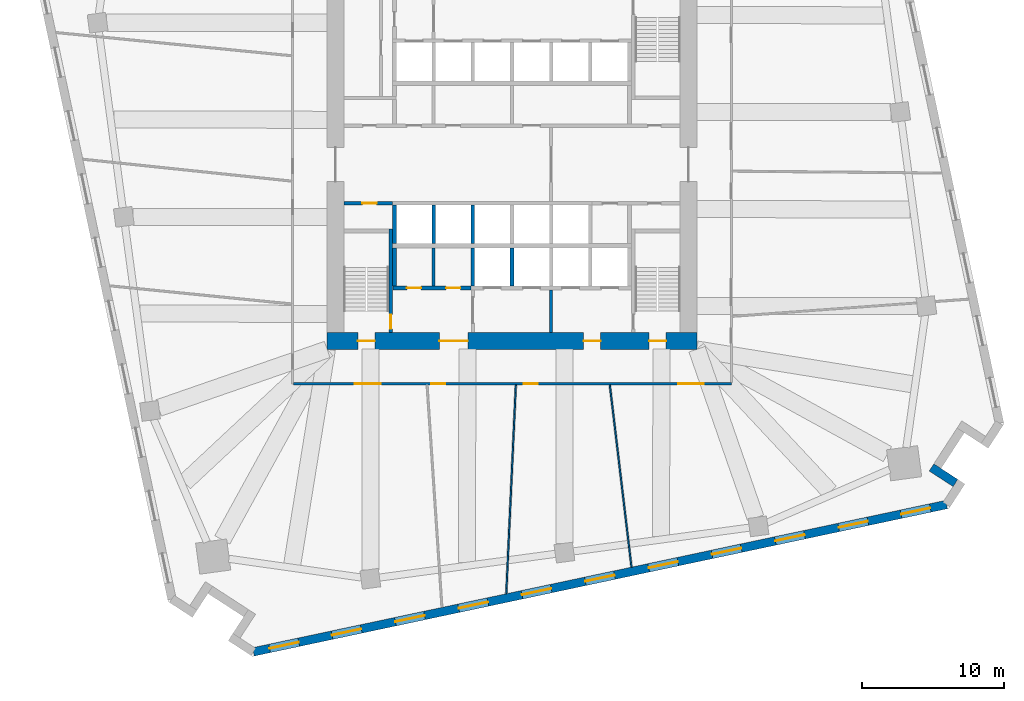
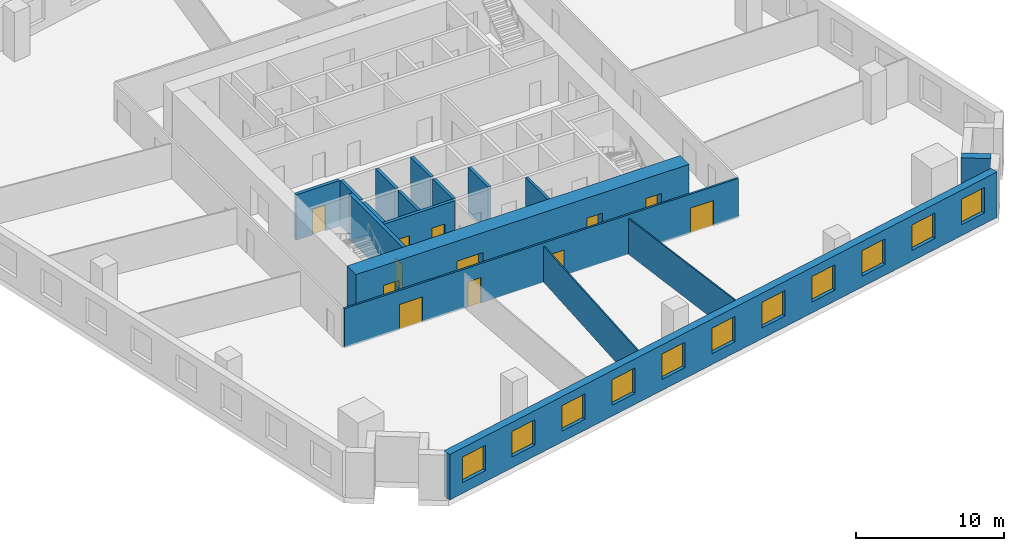
# One storey, part 4 of 10: 17 walls, 12 doors, 11 windows, 23 openings.
"""IFC4 building model written with IfcOpenShell, lengths in metres."""

import ifcopenshell
import ifcopenshell.guid

model = None  # the IFC model being written
_history = None  # IfcOwnerHistory: only IFC2X3 demands one
_inside = {}  # id of a spatial element -> (the spatial element, [elements in it])
_under = {}  # id of a project, library or spatial element -> (it, [spatial elements below it])
_declared = {}  # id of a project -> (the project, [libraries it declares])
_typed = {}  # id of a type object -> (the type object, [elements of that type])
_made_of = {}  # id of a material, layer set ... -> (it, [elements and type objects made of it])


def new_model(schema):
    """Start an empty IFC model of exactly this schema.

    Asked for "IFC4X3", IfcOpenShell would pick the latest addendum, in which some entities
    have other attributes; the version numbers below select the first issue.
    IFC2X3 requires an IfcOwnerHistory on every rooted entity: one is made here for all.
    """
    global model, _history
    if schema == "IFC4X3":
        model = ifcopenshell.file(schema_version=(4, 3, 0, 0))
    else:
        model = ifcopenshell.file(schema=schema)
    _inside.clear()
    _under.clear()
    _declared.clear()
    _typed.clear()
    _made_of.clear()
    _history = None
    if model.schema == "IFC2X3":
        org = make("IfcOrganization", Name="unknown")
        user = make(
            "IfcPersonAndOrganization",
            ThePerson=make("IfcPerson", FamilyName="unknown"),
            TheOrganization=org,
        )
        app = make(
            "IfcApplication",
            ApplicationDeveloper=org,
            Version="unknown",
            ApplicationFullName="unknown",
            ApplicationIdentifier="unknown",
        )
        _history = make(
            "IfcOwnerHistory",
            OwningUser=user,
            OwningApplication=app,
            ChangeAction="ADDED",
            CreationDate=0,
        )
    return model


def make(cls, **values):
    """One entity of the class cls with the attributes given. An attribute that is None is left unset."""
    return model.create_entity(
        cls, **{name: value for name, value in values.items() if value is not None}
    )


def rooted(cls, **values):
    """An entity with a GlobalId (a new one), such as an element, a storey or a relation."""
    return make(cls, GlobalId=ifcopenshell.guid.new(), OwnerHistory=_history, **values)


def si_unit(unit_type, name, prefix=None):
    """IfcSIUnit, for example si_unit("LENGTHUNIT", "METRE", prefix="MILLI")."""
    return make("IfcSIUnit", UnitType=unit_type, Prefix=prefix, Name=name)


def assignment(units):
    """IfcUnitAssignment: the units of a project."""
    return None if units is None else make("IfcUnitAssignment", Units=units)


def point(xyz):
    """IfcCartesianPoint."""
    return None if xyz is None else make("IfcCartesianPoint", Coordinates=xyz)


def direction(xyz):
    """IfcDirection."""
    return None if xyz is None else make("IfcDirection", DirectionRatios=xyz)


def frame(location, z_axis=None, x_axis=None):
    """IfcAxis2Placement3D, a coordinate frame: its origin and axes. An axis left out is left unset."""
    return make(
        "IfcAxis2Placement3D",
        Location=point(location),
        Axis=direction(z_axis),
        RefDirection=direction(x_axis),
    )


def frame_2d(location, x_axis=None):
    """IfcAxis2Placement2D, a coordinate frame in the plane: its origin and x axis."""
    return make(
        "IfcAxis2Placement2D", Location=point(location), RefDirection=direction(x_axis)
    )


def origin():
    """The frame at (0, 0, 0) with its axes left unset."""
    return frame((0.0, 0.0, 0.0))


def place(relative_to, where):
    """IfcLocalPlacement: puts the frame where relative to a parent placement (None: the world)."""
    return make(
        "IfcLocalPlacement", PlacementRelTo=relative_to, RelativePlacement=where
    )


def context(
    kind, dimensions, precision=None, world=None, true_north=None, identifier=None
):
    """IfcGeometricRepresentationContext, for example the 3D "Model" context."""
    return make(
        "IfcGeometricRepresentationContext",
        ContextIdentifier=identifier,
        ContextType=kind,
        CoordinateSpaceDimension=dimensions,
        Precision=precision,
        WorldCoordinateSystem=world,
        TrueNorth=true_north,
    )


def subcontext(parent, identifier, kind, view, scale=None):
    """IfcGeometricRepresentationSubContext, for example "Body" below "Model"."""
    return make(
        "IfcGeometricRepresentationSubContext",
        ContextIdentifier=identifier,
        ContextType=kind,
        ParentContext=parent,
        TargetScale=scale,
        TargetView=view,
    )


def project(units=None, contexts=None):
    """IfcProject with its units and contexts."""
    return rooted(
        "IfcProject",
        Name="project",
        RepresentationContexts=contexts,
        UnitsInContext=assignment(units),
    )


def spatial(cls, under=None, at=None, **own):
    """A site, building, storey or space (cls), placed at a placement, below another one or the project."""
    s = rooted(cls, ObjectPlacement=at, **own)
    if under is not None:
        _under.setdefault(under.id(), (under, []))[1].append(s)
    return s


def profile(cls, at=None, kind="AREA", **sizes):
    """A parametric profile (cls). Its sizes go by their IFC names, for example OverallWidth=200.0."""
    return make(cls, ProfileType=kind, Position=at, **sizes)


def rectangle(**sizes):
    """IfcRectangleProfileDef."""
    return profile("IfcRectangleProfileDef", **sizes)


def extrude(swept, where, along, depth):
    """IfcExtrudedAreaSolid: the profile swept, set in the frame where, extruded along a direction by depth."""
    return make(
        "IfcExtrudedAreaSolid",
        SweptArea=swept,
        Position=where,
        ExtrudedDirection=direction(along),
        Depth=depth,
    )


def shape(context_of_items, identifier, shape_type, items):
    """IfcShapeRepresentation: the items that make up one representation, for example the "Body"."""
    return make(
        "IfcShapeRepresentation",
        ContextOfItems=context_of_items,
        RepresentationIdentifier=identifier,
        RepresentationType=shape_type,
        Items=items,
    )


def material(Name=None, Category=None):
    """IfcMaterial."""
    return make("IfcMaterial", Name=Name, Category=Category)


def layer(
    of_material, thickness, ventilated=None, Name=None, Category=None, Priority=None
):
    """IfcMaterialLayer: one layer of a wall or slab, of a material (None: an air gap)."""
    return make(
        "IfcMaterialLayer",
        Material=of_material,
        LayerThickness=thickness,
        IsVentilated=ventilated,
        Name=Name,
        Category=Category,
        Priority=Priority,
    )


def layer_set(layers, Name=None):
    """IfcMaterialLayerSet."""
    return make("IfcMaterialLayerSet", MaterialLayers=layers, LayerSetName=Name)


def made_of(thing, what):
    """Note that an element or type object is made of a material, layer set ...; save() writes the relation."""
    if what is not None:
        _made_of.setdefault(what.id(), (what, []))[1].append(thing)
    return thing


def type_object(cls, material=None, **own):
    """A type object (cls), such as IfcWallType, which elements share."""
    return made_of(rooted(cls, **own), material)


def element(
    cls,
    number,
    at=None,
    inside=None,
    cuts=None,
    type_object=None,
    material=None,
    context=None,
    identifier="Body",
    shape_type=None,
    held_by="IfcProductDefinitionShape",
    body=None,
    shapes=None,
    **own,
):
    """One element of the class cls, such as IfcWall. Its Tag is "e" and its number.

    at: its placement. inside: the storey or other place that contains it. cuts: it is an
    opening in that element (IfcRelVoidsElement). A single representation is given by context,
    identifier, shape_type and body (its items); several are given by shapes. held_by: the class
    of the entity that holds the representations. save() writes the other relations.
    """
    e = rooted(cls, Tag="e%d" % number, ObjectPlacement=at, **own)
    if body is not None:
        shapes = [shape(context, identifier, shape_type, body)]
    if shapes is not None:
        e.Representation = make(held_by, Representations=shapes)
    if inside is not None:
        _inside.setdefault(inside.id(), (inside, []))[1].append(e)
    if cuts is not None:
        rooted(
            "IfcRelVoidsElement", RelatingBuildingElement=cuts, RelatedOpeningElement=e
        )
    if type_object is not None:
        _typed.setdefault(type_object.id(), (type_object, []))[1].append(e)
    return made_of(e, material)


def fill(opening, filler):
    """IfcRelFillsElement: the door or window that sits in an opening."""
    return rooted(
        "IfcRelFillsElement",
        RelatingOpeningElement=opening,
        RelatedBuildingElement=filler,
    )


def aggregate(whole, parts):
    """IfcRelAggregates: a whole, such as a stair, and the parts it consists of."""
    return rooted("IfcRelAggregates", RelatingObject=whole, RelatedObjects=parts)


def save(model, path):
    """Write the relations noted so far, then the file.

    IfcRelAggregates (storeys below a building ...), IfcRelContainedInSpatialStructure (elements
    in a storey), IfcRelDefinesByType, IfcRelAssociatesMaterial and IfcRelDeclares: one each for
    every whole, place, type object, material and project.
    """
    for whole, parts in _under.values():
        aggregate(whole, parts)
    for where, things in _inside.values():
        rooted(
            "IfcRelContainedInSpatialStructure",
            RelatedElements=things,
            RelatingStructure=where,
        )
    for kind, things in _typed.values():
        rooted("IfcRelDefinesByType", RelatedObjects=things, RelatingType=kind)
    for what, things in _made_of.values():
        rooted("IfcRelAssociatesMaterial", RelatedObjects=things, RelatingMaterial=what)
    for by, libraries in _declared.values():
        rooted("IfcRelDeclares", RelatingContext=by, RelatedDefinitions=libraries)
    model.write(path)


model = new_model("IFC4")

# Units and contexts
model_context = context("Model", 3, precision=1e-05, world=origin(), true_north=direction((0.0, 1.0)))
body_context = subcontext(model_context, "Body", "Model", "MODEL_VIEW")
ifc_project = project(units=[si_unit("LENGTHUNIT", "METRE"), si_unit("AREAUNIT", "SQUARE_METRE"), si_unit("VOLUMEUNIT", "CUBIC_METRE"), si_unit("PLANEANGLEUNIT", "RADIAN"), si_unit("MASSUNIT", "GRAM", prefix="KILO")], contexts=[model_context])

# Site, building, storey
site_placement = place(None, origin())
site = spatial("IfcSite", under=ifc_project, at=site_placement, CompositionType="ELEMENT")
building_placement = place(site_placement, origin())
building = spatial("IfcBuilding", under=site, at=building_placement, Name="Dilmun Exchange Tower", CompositionType="ELEMENT")
storey_placement = place(building_placement, frame((0.0, 0.0, 68.10009765625)))
storey = spatial("IfcBuildingStorey", under=building, at=storey_placement, Name="L15", CompositionType="ELEMENT", Elevation=68.10009765625)

# Walls
ifc_material_1 = material(Name="Concrete C40/50", Category="concrete")
ifc_layer_1 = layer(ifc_material_1, 0.199951171875)
ifc_layer_set_1 = layer_set([ifc_layer_1], Name="Concrete C40/50")
wall_type_1 = type_object("IfcWallType", Name="Core partition wall 200", PredefinedType="PARTITIONING", material=ifc_layer_set_1)
wall_1_placement = place(storey_placement, frame((2.75, -11.794921875, 0.0), z_axis=(0.0, 0.0, 1.0), x_axis=(0.0, 1.0, 0.0)))
element("IfcWall", 1, at=wall_1_placement, inside=storey, type_object=wall_type_1, Name="L15 core partition wall 02", PredefinedType="PARTITIONING", context=body_context, shape_type="SweptSolid", body=[
    extrude(rectangle(XDim=2.989990234375, YDim=0.199951171875, at=frame_2d((1.4951171875, 0.0))), origin(), (0.0, 0.0, 1.0), 3.75),
])
wall_2_placement = place(storey_placement, frame((-5.5, -8.544921875, 0.0), z_axis=(0.0, 0.0, 1.0), x_axis=(0.0, 1.0, 0.0)))
element("IfcWall", 2, at=wall_2_placement, inside=storey, type_object=wall_type_1, Name="L15 core partition wall 05", PredefinedType="PARTITIONING", context=body_context, shape_type="SweptSolid", body=[
    extrude(rectangle(XDim=2.68994140625, YDim=0.199951171875, at=frame_2d((1.344970703125, 0.0))), origin(), (0.0, 0.0, 1.0), 3.75),
])

# Wall, openings, doors
ifc_layer_2 = layer(ifc_material_1, 0.25)
ifc_layer_set_2 = layer_set([ifc_layer_2], Name="Concrete C40/50")
wall_type_2 = type_object("IfcWallType", Name="Core partition wall 250", PredefinedType="PARTITIONING", material=ifc_layer_set_2)
wall_3_placement = place(storey_placement, frame((-8.3701171875, -8.675048828125, 0.0), z_axis=(0.0, 0.0, 1.0), x_axis=(1.0, 0.0, 0.0)))
wall_3 = element("IfcWall", 3, at=wall_3_placement, inside=storey, type_object=wall_type_2, Name="L15 core partition wall 03", PredefinedType="PARTITIONING", context=body_context, shape_type="SweptSolid", body=[
    extrude(rectangle(XDim=5.490234375, YDim=0.25, at=frame_2d((2.7451171875, 0.0))), origin(), (0.0, 0.0, 1.0), 3.75),
])
opening_1_placement = place(wall_3_placement, frame((0.9951171875, 0.0, 0.0)))
opening_1 = element("IfcOpeningElement", 4, at=opening_1_placement, cuts=wall_3, Name="Opening CD4", PredefinedType="OPENING", context=body_context, shape_type="SweptSolid", body=[
    extrude(rectangle(XDim=1.0, YDim=2.10009765625, at=frame_2d((0.5, 1.050048828125))), frame((0.0, 0.135009765625, 0.0), z_axis=(0.0, -1.0, 0.0), x_axis=(1.0, 0.0, 0.0)), (0.0, 0.0, 1.0), 0.27001953125),
])
opening_2_placement = place(wall_3_placement, frame((3.7451171875, 0.0, 0.0)))
opening_2 = element("IfcOpeningElement", 5, at=opening_2_placement, cuts=wall_3, Name="Opening CD4", PredefinedType="OPENING", context=body_context, shape_type="SweptSolid", body=[
    extrude(rectangle(XDim=1.0, YDim=2.10009765625, at=frame_2d((0.5, 1.050048828125))), frame((0.0, 0.135009765625, 0.0), z_axis=(0.0, -1.0, 0.0), x_axis=(1.0, 0.0, 0.0)), (0.0, 0.0, 1.0), 0.27001953125),
])
ifc_material_2 = material(Name="Fire-rated steel door set", Category="steel")
door_type_1 = type_object("IfcDoorType", Name="Core room door 1000x2100", OperationType="SINGLE_SWING_LEFT", PredefinedType="DOOR", material=ifc_material_2)
door_1_placement = place(opening_1_placement, origin())
door_1 = element("IfcDoor", 6, at=door_1_placement, inside=storey, type_object=door_type_1, Name="L15 door Male WC", OperationType="SINGLE_SWING_RIGHT", OverallHeight=2.10009765625, OverallWidth=1.0, PredefinedType="DOOR", context=body_context, shape_type="SweptSolid", body=[
    extrude(rectangle(XDim=1.0, YDim=2.10009765625, at=frame_2d((0.5, 1.050048828125))), frame((0.0, 0.02490234375, 0.0), z_axis=(0.0, -1.0, 0.0), x_axis=(1.0, 0.0, 0.0)), (0.0, 0.0, 1.0), 0.050048828125),
])
fill(opening_1, door_1)
door_2_placement = place(opening_2_placement, origin())
door_2 = element("IfcDoor", 7, at=door_2_placement, inside=storey, type_object=door_type_1, Name="L15 door Female WC", OperationType="SINGLE_SWING_RIGHT", OverallHeight=2.10009765625, OverallWidth=1.0, PredefinedType="DOOR", context=body_context, shape_type="SweptSolid", body=[
    extrude(rectangle(XDim=1.0, YDim=2.10009765625, at=frame_2d((0.5, 1.050048828125))), frame((0.0, 0.02490234375, 0.0), z_axis=(0.0, -1.0, 0.0), x_axis=(1.0, 0.0, 0.0)), (0.0, 0.0, 1.0), 0.050048828125),
])
fill(opening_2, door_2)

# Wall
wall_4_placement = place(storey_placement, frame((-8.25, -8.544921875, 0.0), z_axis=(0.0, 0.0, 1.0), x_axis=(0.0, 1.0, 0.0)))
element("IfcWall", 8, at=wall_4_placement, inside=storey, type_object=wall_type_2, Name="L15 core partition wall 04", PredefinedType="PARTITIONING", context=body_context, shape_type="SweptSolid", body=[
    extrude(rectangle(XDim=2.68994140625, YDim=0.25, at=frame_2d((1.344970703125, 0.0))), origin(), (0.0, 0.0, 1.0), 3.75),
])

# Wall, opening, door
wall_5_placement = place(storey_placement, frame((-11.794921875, -2.72509765625, 0.0), z_axis=(0.0, 0.0, 1.0), x_axis=(1.0, 0.0, 0.0)))
wall_5 = element("IfcWall", 9, at=wall_5_placement, inside=storey, type_object=wall_type_2, Name="L15 core partition wall 07", PredefinedType="PARTITIONING", context=body_context, shape_type="SweptSolid", body=[
    extrude(rectangle(XDim=3.4150390625, YDim=0.25, at=frame_2d((1.70751953125, 0.0))), origin(), (0.0, 0.0, 1.0), 3.75),
])
opening_3_placement = place(wall_5_placement, frame((1.294921875, 0.0, 0.0)))
opening_3 = element("IfcOpeningElement", 10, at=opening_3_placement, cuts=wall_5, Name="Opening CD4", PredefinedType="OPENING", context=body_context, shape_type="SweptSolid", body=[
    extrude(rectangle(XDim=1.0, YDim=2.10009765625, at=frame_2d((0.5, 1.050048828125))), frame((0.0, 0.135009765625, 0.0), z_axis=(0.0, -1.0, 0.0), x_axis=(1.0, 0.0, 0.0)), (0.0, 0.0, 1.0), 0.27001953125),
])
door_3_placement = place(opening_3_placement, origin())
door_3 = element("IfcDoor", 11, at=door_3_placement, inside=storey, type_object=door_type_1, Name="L15 door Accessible WC", OperationType="SINGLE_SWING_RIGHT", OverallHeight=2.10009765625, OverallWidth=1.0, PredefinedType="DOOR", context=body_context, shape_type="SweptSolid", body=[
    extrude(rectangle(XDim=1.0, YDim=2.10009765625, at=frame_2d((0.5, 1.050048828125))), frame((0.0, 0.02490234375, 0.0), z_axis=(0.0, -1.0, 0.0), x_axis=(1.0, 0.0, 0.0)), (0.0, 0.0, 1.0), 0.050048828125),
])
fill(opening_3, door_3)

# Wall, openings, doors
ifc_material_3 = material(Name="Concrete C80/95", Category="concrete")
ifc_layer_3 = layer(ifc_material_3, 1.199951171875)
ifc_layer_set_3 = layer_set([ifc_layer_3], Name="Concrete C80/95")
wall_type_3 = type_object("IfcWallType", Name="Core shear wall 1200 Concrete C80/95", PredefinedType="SHEAR", material=ifc_layer_set_3)
wall_6_placement = place(storey_placement, frame((-13.0, -12.39990234375, 0.0), z_axis=(0.0, 0.0, 1.0), x_axis=(1.0, 0.0, 0.0)))
wall_6 = element("IfcWall", 12, at=wall_6_placement, inside=storey, type_object=wall_type_3, Name="L15 core shear wall S", PredefinedType="SHEAR", context=body_context, shape_type="SweptSolid", body=[
    extrude(rectangle(XDim=26.0, YDim=1.199951171875, at=frame_2d((13.0, 0.0))), origin(), (0.0, 0.0, 1.0), 3.75),
])
opening_4_placement = place(wall_6_placement, frame((7.89990234375, 0.0, 0.0)))
opening_4 = element("IfcOpeningElement", 13, at=opening_4_placement, cuts=wall_6, Name="Opening CD2", PredefinedType="OPENING", context=body_context, shape_type="SweptSolid", body=[
    extrude(rectangle(XDim=2.0, YDim=2.10009765625, at=frame_2d((1.0, 1.050048828125))), frame((0.0, 0.60986328125, 0.0), z_axis=(0.0, -1.0, 0.0), x_axis=(1.0, 0.0, 0.0)), (0.0, 0.0, 1.0), 1.219970703125),
])
opening_5_placement = place(wall_6_placement, frame((18.02490234375, 0.0, 0.0)))
opening_5 = element("IfcOpeningElement", 14, at=opening_5_placement, cuts=wall_6, Name="Opening CD3", PredefinedType="OPENING", context=body_context, shape_type="SweptSolid", body=[
    extrude(rectangle(XDim=1.199951171875, YDim=2.10009765625, at=frame_2d((0.60009765625, 1.050048828125))), frame((0.0, 0.60986328125, 0.0), z_axis=(0.0, -1.0, 0.0), x_axis=(1.0, 0.0, 0.0)), (0.0, 0.0, 1.0), 1.219970703125),
])
opening_6_placement = place(wall_6_placement, frame((2.175048828125, 0.0, 0.0)))
opening_6 = element("IfcOpeningElement", 15, at=opening_6_placement, cuts=wall_6, Name="Opening CD3", PredefinedType="OPENING", context=body_context, shape_type="SweptSolid", body=[
    extrude(rectangle(XDim=1.199951171875, YDim=2.10009765625, at=frame_2d((0.60009765625, 1.050048828125))), frame((0.0, 0.60986328125, 0.0), z_axis=(0.0, -1.0, 0.0), x_axis=(1.0, 0.0, 0.0)), (0.0, 0.0, 1.0), 1.219970703125),
])
opening_7_placement = place(wall_6_placement, frame((22.625, 0.0, 0.0)))
opening_7 = element("IfcOpeningElement", 16, at=opening_7_placement, cuts=wall_6, Name="Opening CD3", PredefinedType="OPENING", context=body_context, shape_type="SweptSolid", body=[
    extrude(rectangle(XDim=1.199951171875, YDim=2.10009765625, at=frame_2d((0.60009765625, 1.050048828125))), frame((0.0, 0.60986328125, 0.0), z_axis=(0.0, -1.0, 0.0), x_axis=(1.0, 0.0, 0.0)), (0.0, 0.0, 1.0), 1.219970703125),
])
door_type_2 = type_object("IfcDoorType", Name="Core service door 2000x2100", OperationType="DOUBLE_DOOR_DOUBLE_SWING", PredefinedType="DOOR", material=ifc_material_2)
door_4_placement = place(opening_4_placement, origin())
door_4 = element("IfcDoor", 17, at=door_4_placement, inside=storey, type_object=door_type_2, Name="L15 door South service lobby", OperationType="SINGLE_SWING_LEFT", OverallHeight=2.10009765625, OverallWidth=2.0, PredefinedType="DOOR", context=body_context, shape_type="SweptSolid", body=[
    extrude(rectangle(XDim=2.0, YDim=2.10009765625, at=frame_2d((1.0, 1.050048828125))), frame((0.0, 0.02490234375, 0.0), z_axis=(0.0, -1.0, 0.0), x_axis=(1.0, 0.0, 0.0)), (0.0, 0.0, 1.0), 0.050048828125),
])
fill(opening_4, door_4)
door_type_3 = type_object("IfcDoorType", Name="Stair exit door 1200x2100", OperationType="SINGLE_SWING_LEFT", PredefinedType="DOOR", material=ifc_material_2)
door_5_placement = place(opening_5_placement, origin())
door_5 = element("IfcDoor", 18, at=door_5_placement, inside=storey, type_object=door_type_3, Name="L15 door Fire-fighting lobby", OperationType="SINGLE_SWING_LEFT", OverallHeight=2.10009765625, OverallWidth=1.199951171875, PredefinedType="DOOR", context=body_context, shape_type="SweptSolid", body=[
    extrude(rectangle(XDim=1.199951171875, YDim=2.10009765625, at=frame_2d((0.60009765625, 1.050048828125))), frame((0.0, 0.02490234375, 0.0), z_axis=(0.0, -1.0, 0.0), x_axis=(1.0, 0.0, 0.0)), (0.0, 0.0, 1.0), 0.050048828125),
])
fill(opening_5, door_5)
door_6_placement = place(opening_6_placement, origin())
door_6 = element("IfcDoor", 19, at=door_6_placement, inside=storey, type_object=door_type_3, Name="L15 door Stair ST2", OperationType="SINGLE_SWING_LEFT", OverallHeight=2.10009765625, OverallWidth=1.199951171875, PredefinedType="DOOR", context=body_context, shape_type="SweptSolid", body=[
    extrude(rectangle(XDim=1.199951171875, YDim=2.10009765625, at=frame_2d((0.60009765625, 1.050048828125))), frame((0.0, 0.02490234375, 0.0), z_axis=(0.0, -1.0, 0.0), x_axis=(1.0, 0.0, 0.0)), (0.0, 0.0, 1.0), 0.050048828125),
])
fill(opening_6, door_6)
door_7_placement = place(opening_7_placement, origin())
door_7 = element("IfcDoor", 20, at=door_7_placement, inside=storey, type_object=door_type_3, Name="L15 door Stair ST3", OperationType="SINGLE_SWING_LEFT", OverallHeight=2.10009765625, OverallWidth=1.199951171875, PredefinedType="DOOR", context=body_context, shape_type="SweptSolid", body=[
    extrude(rectangle(XDim=1.199951171875, YDim=2.10009765625, at=frame_2d((0.60009765625, 1.050048828125))), frame((0.0, 0.02490234375, 0.0), z_axis=(0.0, -1.0, 0.0), x_axis=(1.0, 0.0, 0.0)), (0.0, 0.0, 1.0), 0.050048828125),
])
fill(opening_7, door_7)

ifc_material_4 = material(Name="Corridor wall 150")
ifc_layer_4 = layer(ifc_material_4, 0.14990234375)
ifc_layer_set_4 = layer_set([ifc_layer_4], Name="Corridor wall 150")
wall_type_4 = type_object("IfcWallType", Name="Corridor wall 150", PredefinedType="PARTITIONING", material=ifc_layer_set_4)
wall_7_placement = place(storey_placement, frame((-15.324951171875, -15.39990234375, 0.0), z_axis=(0.0, 0.0, 1.0), x_axis=(1.0, 0.0, 0.0)))
wall_7 = element("IfcWall", 21, at=wall_7_placement, inside=storey, type_object=wall_type_4, Name="Corridor wall", PredefinedType="PARTITIONING", context=body_context, shape_type="SweptSolid", body=[
    extrude(rectangle(XDim=30.724853515625, YDim=0.14990234375, at=frame_2d((15.3623046875, 0.0))), origin(), (0.0, 0.0, 1.0), 3.25),
])
opening_8_placement = place(wall_7_placement, frame((4.300048828125, 0.0, 0.0)))
opening_8 = element("IfcOpeningElement", 22, at=opening_8_placement, cuts=wall_7, Name="Opening TF15-D05", PredefinedType="OPENING", context=body_context, shape_type="SweptSolid", body=[
    extrude(rectangle(XDim=1.800048828125, YDim=2.10009765625, at=frame_2d((0.89990234375, 1.050048828125))), frame((0.0, 0.0849609375, 0.0), z_axis=(0.0, -1.0, 0.0), x_axis=(1.0, 0.0, 0.0)), (0.0, 0.0, 1.0), 0.169921875),
])
opening_9_placement = place(wall_7_placement, frame((9.656005859375, 0.0, 0.0)))
opening_9 = element("IfcOpeningElement", 23, at=opening_9_placement, cuts=wall_7, Name="Opening TF15-D07", PredefinedType="OPENING", context=body_context, shape_type="SweptSolid", body=[
    extrude(rectangle(XDim=1.0, YDim=2.10009765625, at=frame_2d((0.5, 1.050048828125))), frame((0.0, 0.0849609375, 0.0), z_axis=(0.0, -1.0, 0.0), x_axis=(1.0, 0.0, 0.0)), (0.0, 0.0, 1.0), 0.169921875),
])
opening_10_placement = place(wall_7_placement, frame((16.147216796875, 0.0, 0.0)))
opening_10 = element("IfcOpeningElement", 24, at=opening_10_placement, cuts=wall_7, Name="Opening TF15-D09", PredefinedType="OPENING", context=body_context, shape_type="SweptSolid", body=[
    extrude(rectangle(XDim=1.0, YDim=2.10009765625, at=frame_2d((0.5, 1.050048828125))), frame((0.0, 0.0849609375, 0.0), z_axis=(0.0, -1.0, 0.0), x_axis=(1.0, 0.0, 0.0)), (0.0, 0.0, 1.0), 0.169921875),
])
opening_11_placement = place(wall_7_placement, frame((26.982177734375, 0.0, 0.0)))
opening_11 = element("IfcOpeningElement", 25, at=opening_11_placement, cuts=wall_7, Name="Opening TF15-D13", PredefinedType="OPENING", context=body_context, shape_type="SweptSolid", body=[
    extrude(rectangle(XDim=1.800048828125, YDim=2.10009765625, at=frame_2d((0.89990234375, 1.050048828125))), frame((0.0, 0.0849609375, 0.0), z_axis=(0.0, -1.0, 0.0), x_axis=(1.0, 0.0, 0.0)), (0.0, 0.0, 1.0), 0.169921875),
])
ifc_material_5 = material(Name="Fire door 1000 x 2100")
door_type_4 = type_object("IfcDoorType", Name="Fire door 1000 x 2100", OperationType="NOTDEFINED", PredefinedType="DOOR", material=ifc_material_5)
door_8_placement = place(opening_9_placement, frame((1.0, 0.0, 0.0), z_axis=(0.0, 0.0, 1.0), x_axis=(-1.0, 0.0, 0.0)))
door_8 = element("IfcDoor", 26, at=door_8_placement, inside=storey, type_object=door_type_4, Name="Door TF15-D07", OperationType="SINGLE_SWING_LEFT", OverallHeight=2.10009765625, OverallWidth=1.0, PredefinedType="DOOR", context=body_context, shape_type="SweptSolid", body=[
    extrude(rectangle(XDim=1.0, YDim=2.10009765625, at=frame_2d((0.5, 1.050048828125))), frame((0.0, 0.02490234375, 0.0), z_axis=(0.0, -1.0, 0.0), x_axis=(1.0, 0.0, 0.0)), (0.0, 0.0, 1.0), 0.050048828125),
])
fill(opening_9, door_8)
door_9_placement = place(opening_10_placement, frame((1.0, 0.0, 0.0), z_axis=(0.0, 0.0, 1.0), x_axis=(-1.0, 0.0, 0.0)))
door_9 = element("IfcDoor", 27, at=door_9_placement, inside=storey, type_object=door_type_4, Name="Door TF15-D09", OperationType="SINGLE_SWING_LEFT", OverallHeight=2.10009765625, OverallWidth=1.0, PredefinedType="DOOR", context=body_context, shape_type="SweptSolid", body=[
    extrude(rectangle(XDim=1.0, YDim=2.10009765625, at=frame_2d((0.5, 1.050048828125))), frame((0.0, 0.02490234375, 0.0), z_axis=(0.0, -1.0, 0.0), x_axis=(1.0, 0.0, 0.0)), (0.0, 0.0, 1.0), 0.050048828125),
])
fill(opening_10, door_9)
ifc_material_6 = material(Name="Fire door pair 1800 x 2100")
door_type_5 = type_object("IfcDoorType", Name="Fire door pair 1800 x 2100", OperationType="NOTDEFINED", PredefinedType="DOOR", material=ifc_material_6)
door_10_placement = place(opening_8_placement, frame((1.800048828125, 0.0, 0.0), z_axis=(0.0, 0.0, 1.0), x_axis=(-1.0, 0.0, 0.0)))
door_10 = element("IfcDoor", 28, at=door_10_placement, inside=storey, type_object=door_type_5, Name="Door TF15-D05", OperationType="DOUBLE_DOOR_SINGLE_SWING", OverallHeight=2.10009765625, OverallWidth=1.800048828125, PredefinedType="DOOR", context=body_context, shape_type="SweptSolid", body=[
    extrude(rectangle(XDim=1.800048828125, YDim=2.10009765625, at=frame_2d((0.89990234375, 1.050048828125))), frame((0.0, 0.02490234375, 0.0), z_axis=(0.0, -1.0, 0.0), x_axis=(1.0, 0.0, 0.0)), (0.0, 0.0, 1.0), 0.050048828125),
])
fill(opening_8, door_10)
door_11_placement = place(opening_11_placement, frame((1.800048828125, 0.0, 0.0), z_axis=(0.0, 0.0, 1.0), x_axis=(-1.0, 0.0, 0.0)))
door_11 = element("IfcDoor", 29, at=door_11_placement, inside=storey, type_object=door_type_5, Name="Door TF15-D13", OperationType="DOUBLE_DOOR_SINGLE_SWING", OverallHeight=2.10009765625, OverallWidth=1.800048828125, PredefinedType="DOOR", context=body_context, shape_type="SweptSolid", body=[
    extrude(rectangle(XDim=1.800048828125, YDim=2.10009765625, at=frame_2d((0.89990234375, 1.050048828125))), frame((0.0, 0.02490234375, 0.0), z_axis=(0.0, -1.0, 0.0), x_axis=(1.0, 0.0, 0.0)), (0.0, 0.0, 1.0), 0.050048828125),
])
fill(opening_11, door_11)

# Walls
ifc_layer_5 = layer(ifc_material_1, 0.25)
ifc_layer_set_5 = layer_set([ifc_layer_5], Name="Concrete C40/50")
wall_type_5 = type_object("IfcWallType", Name="Lift shaft wall 250", PredefinedType="SOLIDWALL", material=ifc_layer_set_5)
for number, where, z_axis, x_axis, name in (
    (30, (-8.25, -5.550048828125, 0.0), (0.0, 0.0, 1.0), (0.0, 1.0, 0.0), "L15 lift shaft divider S10"),
    (31, (-5.5, -5.550048828125, 0.0), (0.0, 0.0, 1.0), (0.0, 1.0, 0.0), "L15 lift shaft divider S11"),
    (32, (-2.75, -5.550048828125, 0.0), (0.0, 0.0, 1.0), (0.0, 1.0, 0.0), "L15 lift shaft divider S12"),
    (33, (-2.75, -8.550048828125, 0.0), (0.0, 0.0, 1.0), (0.0, 1.0, 0.0), "L15 lift shaft divider S22"),
    (34, (0.0, -8.550048828125, 0.0), (0.0, 0.0, 1.0), (0.0, 1.0, 0.0), "L15 lift shaft divider S23"),
):
    element("IfcWall", number, at=place(storey_placement, frame(where, z_axis=z_axis, x_axis=x_axis)), inside=storey, type_object=wall_type_5, Name=name, PredefinedType="SOLIDWALL", context=body_context, shape_type="SweptSolid", body=[
        extrude(rectangle(XDim=2.699951171875, YDim=0.25, at=frame_2d((1.35009765625, 0.0))), origin(), (0.0, 0.0, 1.0), 3.75),
    ])
ifc_material_7 = material(Name="Partition 100")
ifc_layer_6 = layer(ifc_material_7, 0.10009765625)
ifc_layer_set_6 = layer_set([ifc_layer_6], Name="Partition 100")
wall_type_6 = type_object("IfcWallType", Name="Partition 100", PredefinedType="PARTITIONING", material=ifc_layer_set_6)
wall_8_placement = place(storey_placement, frame((-0.4033203125, -30.140380859375, 0.0), z_axis=(0.0, 0.0, 1.0), x_axis=(0.045905600383, 0.998945782239, 0.0)))
element("IfcWall", 35, at=wall_8_placement, inside=storey, type_object=wall_type_6, Name="Partition", PredefinedType="PARTITIONING", context=body_context, shape_type="SweptSolid", body=[
    extrude(rectangle(XDim=14.678466796875, YDim=0.10009765625, at=frame_2d((7.33935546875, 0.0))), origin(), (0.0, 0.0, 1.0), 2.949951171875),
])
wall_9_placement = place(storey_placement, frame((6.86669921875, -15.48095703125, 0.0), z_axis=(0.0, 0.0, 1.0), x_axis=(0.118214669681, -0.992988062301, 0.0)))
element("IfcWall", 36, at=wall_9_placement, inside=storey, type_object=wall_type_6, Name="Partition", PredefinedType="PARTITIONING", context=body_context, shape_type="SweptSolid", body=[
    extrude(rectangle(XDim=12.880859375, YDim=0.10009765625, at=frame_2d((6.4404296875, 0.0))), origin(), (0.0, 0.0, 1.0), 2.949951171875),
])

# Wall, openings, windows
ifc_material_8 = material(Name="Precast concrete C50/60", Category="concrete")
ifc_layer_7 = layer(ifc_material_8, 0.60009765625)
ifc_layer_set_7 = layer_set([ifc_layer_7], Name="Precast concrete C50/60")
wall_type_7 = type_object("IfcWallType", Name="Precast stone-clad wall 600", PredefinedType="STANDARD", material=ifc_layer_set_7)
wall_10_placement = place(storey_placement, frame((-18.1572265625, -34.222900390625, 0.0), z_axis=(0.0, 0.0, 1.0), x_axis=(0.97814728825, 0.207913160934, 0.0)))
wall_10 = element("IfcWall", 37, at=wall_10_placement, inside=storey, type_object=wall_type_7, Name="Facade wall L15-15", PredefinedType="STANDARD", context=body_context, shape_type="SweptSolid", body=[
    extrude(rectangle(XDim=49.75146484375, YDim=0.60009765625, at=frame_2d((24.875732421875, 0.0))), origin(), (0.0, 0.0, 1.0), 3.75),
])
opening_12_placement = place(wall_10_placement, frame((1.16064453125, 0.0, 0.89990234375)))
opening_12 = element("IfcOpeningElement", 38, at=opening_12_placement, cuts=wall_10, Name="Opening W210-210", PredefinedType="OPENING", context=body_context, shape_type="SweptSolid", body=[
    extrude(rectangle(XDim=2.10009765625, YDim=2.10009765625, at=frame_2d((1.050048828125, 1.050048828125))), frame((0.0, 0.31005859375, 0.0), z_axis=(0.0, -1.0, 0.0), x_axis=(1.0, 0.0, 0.0)), (0.0, 0.0, 1.0), 0.6201171875),
])
opening_13_placement = place(wall_10_placement, frame((5.643798828125, 0.0, 0.89990234375)))
opening_13 = element("IfcOpeningElement", 39, at=opening_13_placement, cuts=wall_10, Name="Opening W210-210", PredefinedType="OPENING", context=body_context, shape_type="SweptSolid", body=[
    extrude(rectangle(XDim=2.10009765625, YDim=2.10009765625, at=frame_2d((1.050048828125, 1.050048828125))), frame((0.0, 0.31005859375, 0.0), z_axis=(0.0, -1.0, 0.0), x_axis=(1.0, 0.0, 0.0)), (0.0, 0.0, 1.0), 0.6201171875),
])
opening_14_placement = place(wall_10_placement, frame((10.189453125, 0.0, 0.89990234375)))
opening_14 = element("IfcOpeningElement", 40, at=opening_14_placement, cuts=wall_10, Name="Opening W210-210", PredefinedType="OPENING", context=body_context, shape_type="SweptSolid", body=[
    extrude(rectangle(XDim=2.10009765625, YDim=2.10009765625, at=frame_2d((1.050048828125, 1.050048828125))), frame((0.0, 0.31005859375, 0.0), z_axis=(0.0, -1.0, 0.0), x_axis=(1.0, 0.0, 0.0)), (0.0, 0.0, 1.0), 0.6201171875),
])
opening_15_placement = place(wall_10_placement, frame((14.73486328125, 0.0, 0.89990234375)))
opening_15 = element("IfcOpeningElement", 41, at=opening_15_placement, cuts=wall_10, Name="Opening W210-210", PredefinedType="OPENING", context=body_context, shape_type="SweptSolid", body=[
    extrude(rectangle(XDim=2.10009765625, YDim=2.10009765625, at=frame_2d((1.050048828125, 1.050048828125))), frame((0.0, 0.31005859375, 0.0), z_axis=(0.0, -1.0, 0.0), x_axis=(1.0, 0.0, 0.0)), (0.0, 0.0, 1.0), 0.6201171875),
])
opening_16_placement = place(wall_10_placement, frame((19.2802734375, 0.0, 0.89990234375)))
opening_16 = element("IfcOpeningElement", 42, at=opening_16_placement, cuts=wall_10, Name="Opening W210-210", PredefinedType="OPENING", context=body_context, shape_type="SweptSolid", body=[
    extrude(rectangle(XDim=2.10009765625, YDim=2.10009765625, at=frame_2d((1.050048828125, 1.050048828125))), frame((0.0, 0.31005859375, 0.0), z_axis=(0.0, -1.0, 0.0), x_axis=(1.0, 0.0, 0.0)), (0.0, 0.0, 1.0), 0.6201171875),
])
opening_17_placement = place(wall_10_placement, frame((23.82568359375, 0.0, 0.89990234375)))
opening_17 = element("IfcOpeningElement", 43, at=opening_17_placement, cuts=wall_10, Name="Opening W210-210", PredefinedType="OPENING", context=body_context, shape_type="SweptSolid", body=[
    extrude(rectangle(XDim=2.10009765625, YDim=2.10009765625, at=frame_2d((1.050048828125, 1.050048828125))), frame((0.0, 0.31005859375, 0.0), z_axis=(0.0, -1.0, 0.0), x_axis=(1.0, 0.0, 0.0)), (0.0, 0.0, 1.0), 0.6201171875),
])
opening_18_placement = place(wall_10_placement, frame((28.37109375, 0.0, 0.89990234375)))
opening_18 = element("IfcOpeningElement", 44, at=opening_18_placement, cuts=wall_10, Name="Opening W210-210", PredefinedType="OPENING", context=body_context, shape_type="SweptSolid", body=[
    extrude(rectangle(XDim=2.10009765625, YDim=2.10009765625, at=frame_2d((1.050048828125, 1.050048828125))), frame((0.0, 0.31005859375, 0.0), z_axis=(0.0, -1.0, 0.0), x_axis=(1.0, 0.0, 0.0)), (0.0, 0.0, 1.0), 0.6201171875),
])
opening_19_placement = place(wall_10_placement, frame((32.91650390625, 0.0, 0.89990234375)))
opening_19 = element("IfcOpeningElement", 45, at=opening_19_placement, cuts=wall_10, Name="Opening W210-210", PredefinedType="OPENING", context=body_context, shape_type="SweptSolid", body=[
    extrude(rectangle(XDim=2.10009765625, YDim=2.10009765625, at=frame_2d((1.050048828125, 1.050048828125))), frame((0.0, 0.31005859375, 0.0), z_axis=(0.0, -1.0, 0.0), x_axis=(1.0, 0.0, 0.0)), (0.0, 0.0, 1.0), 0.6201171875),
])
opening_20_placement = place(wall_10_placement, frame((37.462158203125, 0.0, 0.89990234375)))
opening_20 = element("IfcOpeningElement", 46, at=opening_20_placement, cuts=wall_10, Name="Opening W210-210", PredefinedType="OPENING", context=body_context, shape_type="SweptSolid", body=[
    extrude(rectangle(XDim=2.10009765625, YDim=2.10009765625, at=frame_2d((1.050048828125, 1.050048828125))), frame((0.0, 0.31005859375, 0.0), z_axis=(0.0, -1.0, 0.0), x_axis=(1.0, 0.0, 0.0)), (0.0, 0.0, 1.0), 0.6201171875),
])
opening_21_placement = place(wall_10_placement, frame((42.007568359375, 0.0, 0.89990234375)))
opening_21 = element("IfcOpeningElement", 47, at=opening_21_placement, cuts=wall_10, Name="Opening W210-210", PredefinedType="OPENING", context=body_context, shape_type="SweptSolid", body=[
    extrude(rectangle(XDim=2.10009765625, YDim=2.10009765625, at=frame_2d((1.050048828125, 1.050048828125))), frame((0.0, 0.31005859375, 0.0), z_axis=(0.0, -1.0, 0.0), x_axis=(1.0, 0.0, 0.0)), (0.0, 0.0, 1.0), 0.6201171875),
])
opening_22_placement = place(wall_10_placement, frame((46.490966796875, 0.0, 0.89990234375)))
opening_22 = element("IfcOpeningElement", 48, at=opening_22_placement, cuts=wall_10, Name="Opening W210-210", PredefinedType="OPENING", context=body_context, shape_type="SweptSolid", body=[
    extrude(rectangle(XDim=2.10009765625, YDim=2.10009765625, at=frame_2d((1.050048828125, 1.050048828125))), frame((0.0, 0.31005859375, 0.0), z_axis=(0.0, -1.0, 0.0), x_axis=(1.0, 0.0, 0.0)), (0.0, 0.0, 1.0), 0.6201171875),
])
ifc_material_9 = material(Name="Clear low-emissivity glass in aluminium frame", Category="aluminium")
window_type = type_object("IfcWindowType", Name="Punched window 2100 x 2100", PartitioningType="DOUBLE_PANEL_VERTICAL", PredefinedType="WINDOW", material=ifc_material_9)
window_1_placement = place(opening_12_placement, origin())
window_1 = element("IfcWindow", 49, at=window_1_placement, inside=storey, type_object=window_type, Name="Window 16.1", OverallHeight=2.10009765625, OverallWidth=2.10009765625, PartitioningType="SINGLE_PANEL", PredefinedType="WINDOW", context=body_context, shape_type="SweptSolid", body=[
    extrude(rectangle(XDim=2.10009765625, YDim=2.10009765625, at=frame_2d((1.050048828125, 1.050048828125))), frame((0.0, 0.030029296875, 0.0), z_axis=(0.0, -1.0, 0.0), x_axis=(1.0, 0.0, 0.0)), (0.0, 0.0, 1.0), 0.06005859375),
])
fill(opening_12, window_1)
window_2_placement = place(opening_13_placement, origin())
window_2 = element("IfcWindow", 50, at=window_2_placement, inside=storey, type_object=window_type, Name="Window 16.2", OverallHeight=2.10009765625, OverallWidth=2.10009765625, PartitioningType="SINGLE_PANEL", PredefinedType="WINDOW", context=body_context, shape_type="SweptSolid", body=[
    extrude(rectangle(XDim=2.10009765625, YDim=2.10009765625, at=frame_2d((1.050048828125, 1.050048828125))), frame((0.0, 0.030029296875, 0.0), z_axis=(0.0, -1.0, 0.0), x_axis=(1.0, 0.0, 0.0)), (0.0, 0.0, 1.0), 0.06005859375),
])
fill(opening_13, window_2)
window_3_placement = place(opening_14_placement, origin())
window_3 = element("IfcWindow", 51, at=window_3_placement, inside=storey, type_object=window_type, Name="Window 16.3", OverallHeight=2.10009765625, OverallWidth=2.10009765625, PartitioningType="SINGLE_PANEL", PredefinedType="WINDOW", context=body_context, shape_type="SweptSolid", body=[
    extrude(rectangle(XDim=2.10009765625, YDim=2.10009765625, at=frame_2d((1.050048828125, 1.050048828125))), frame((0.0, 0.030029296875, 0.0), z_axis=(0.0, -1.0, 0.0), x_axis=(1.0, 0.0, 0.0)), (0.0, 0.0, 1.0), 0.06005859375),
])
fill(opening_14, window_3)
window_4_placement = place(opening_15_placement, origin())
window_4 = element("IfcWindow", 52, at=window_4_placement, inside=storey, type_object=window_type, Name="Window 16.4", OverallHeight=2.10009765625, OverallWidth=2.10009765625, PartitioningType="SINGLE_PANEL", PredefinedType="WINDOW", context=body_context, shape_type="SweptSolid", body=[
    extrude(rectangle(XDim=2.10009765625, YDim=2.10009765625, at=frame_2d((1.050048828125, 1.050048828125))), frame((0.0, 0.030029296875, 0.0), z_axis=(0.0, -1.0, 0.0), x_axis=(1.0, 0.0, 0.0)), (0.0, 0.0, 1.0), 0.06005859375),
])
fill(opening_15, window_4)
window_5_placement = place(opening_16_placement, origin())
window_5 = element("IfcWindow", 53, at=window_5_placement, inside=storey, type_object=window_type, Name="Window 16.5", OverallHeight=2.10009765625, OverallWidth=2.10009765625, PartitioningType="SINGLE_PANEL", PredefinedType="WINDOW", context=body_context, shape_type="SweptSolid", body=[
    extrude(rectangle(XDim=2.10009765625, YDim=2.10009765625, at=frame_2d((1.050048828125, 1.050048828125))), frame((0.0, 0.030029296875, 0.0), z_axis=(0.0, -1.0, 0.0), x_axis=(1.0, 0.0, 0.0)), (0.0, 0.0, 1.0), 0.06005859375),
])
fill(opening_16, window_5)
window_6_placement = place(opening_17_placement, origin())
window_6 = element("IfcWindow", 54, at=window_6_placement, inside=storey, type_object=window_type, Name="Window 16.6", OverallHeight=2.10009765625, OverallWidth=2.10009765625, PartitioningType="SINGLE_PANEL", PredefinedType="WINDOW", context=body_context, shape_type="SweptSolid", body=[
    extrude(rectangle(XDim=2.10009765625, YDim=2.10009765625, at=frame_2d((1.050048828125, 1.050048828125))), frame((0.0, 0.030029296875, 0.0), z_axis=(0.0, -1.0, 0.0), x_axis=(1.0, 0.0, 0.0)), (0.0, 0.0, 1.0), 0.06005859375),
])
fill(opening_17, window_6)
window_7_placement = place(opening_18_placement, origin())
window_7 = element("IfcWindow", 55, at=window_7_placement, inside=storey, type_object=window_type, Name="Window 16.7", OverallHeight=2.10009765625, OverallWidth=2.10009765625, PartitioningType="SINGLE_PANEL", PredefinedType="WINDOW", context=body_context, shape_type="SweptSolid", body=[
    extrude(rectangle(XDim=2.10009765625, YDim=2.10009765625, at=frame_2d((1.050048828125, 1.050048828125))), frame((0.0, 0.030029296875, 0.0), z_axis=(0.0, -1.0, 0.0), x_axis=(1.0, 0.0, 0.0)), (0.0, 0.0, 1.0), 0.06005859375),
])
fill(opening_18, window_7)
window_8_placement = place(opening_19_placement, origin())
window_8 = element("IfcWindow", 56, at=window_8_placement, inside=storey, type_object=window_type, Name="Window 16.8", OverallHeight=2.10009765625, OverallWidth=2.10009765625, PartitioningType="SINGLE_PANEL", PredefinedType="WINDOW", context=body_context, shape_type="SweptSolid", body=[
    extrude(rectangle(XDim=2.10009765625, YDim=2.10009765625, at=frame_2d((1.050048828125, 1.050048828125))), frame((0.0, 0.030029296875, 0.0), z_axis=(0.0, -1.0, 0.0), x_axis=(1.0, 0.0, 0.0)), (0.0, 0.0, 1.0), 0.06005859375),
])
fill(opening_19, window_8)
window_9_placement = place(opening_20_placement, origin())
window_9 = element("IfcWindow", 57, at=window_9_placement, inside=storey, type_object=window_type, Name="Window 16.9", OverallHeight=2.10009765625, OverallWidth=2.10009765625, PartitioningType="SINGLE_PANEL", PredefinedType="WINDOW", context=body_context, shape_type="SweptSolid", body=[
    extrude(rectangle(XDim=2.10009765625, YDim=2.10009765625, at=frame_2d((1.050048828125, 1.050048828125))), frame((0.0, 0.030029296875, 0.0), z_axis=(0.0, -1.0, 0.0), x_axis=(1.0, 0.0, 0.0)), (0.0, 0.0, 1.0), 0.06005859375),
])
fill(opening_20, window_9)
window_10_placement = place(opening_21_placement, origin())
window_10 = element("IfcWindow", 58, at=window_10_placement, inside=storey, type_object=window_type, Name="Window 16.10", OverallHeight=2.10009765625, OverallWidth=2.10009765625, PartitioningType="SINGLE_PANEL", PredefinedType="WINDOW", context=body_context, shape_type="SweptSolid", body=[
    extrude(rectangle(XDim=2.10009765625, YDim=2.10009765625, at=frame_2d((1.050048828125, 1.050048828125))), frame((0.0, 0.030029296875, 0.0), z_axis=(0.0, -1.0, 0.0), x_axis=(1.0, 0.0, 0.0)), (0.0, 0.0, 1.0), 0.06005859375),
])
fill(opening_21, window_10)
window_11_placement = place(opening_22_placement, origin())
window_11 = element("IfcWindow", 59, at=window_11_placement, inside=storey, type_object=window_type, Name="Window 16.11", OverallHeight=2.10009765625, OverallWidth=2.10009765625, PartitioningType="SINGLE_PANEL", PredefinedType="WINDOW", context=body_context, shape_type="SweptSolid", body=[
    extrude(rectangle(XDim=2.10009765625, YDim=2.10009765625, at=frame_2d((1.050048828125, 1.050048828125))), frame((0.0, 0.030029296875, 0.0), z_axis=(0.0, -1.0, 0.0), x_axis=(1.0, 0.0, 0.0)), (0.0, 0.0, 1.0), 0.06005859375),
])
fill(opening_22, window_11)

# Wall
wall_11_placement = place(storey_placement, frame((31.133056640625, -22.3642578125, 0.0), z_axis=(0.0, 0.0, 1.0), x_axis=(-0.838638792855, 0.54468796124, 0.0)))
element("IfcWall", 60, at=wall_11_placement, inside=storey, type_object=wall_type_7, Name="Facade wall L15-17", PredefinedType="STANDARD", context=body_context, shape_type="SweptSolid", body=[
    extrude(rectangle(XDim=2.0, YDim=0.60009765625, at=frame_2d((1.0, 0.0))), origin(), (0.0, 0.0, 1.0), 3.75),
])

# Wall, opening, door
ifc_layer_8 = layer(ifc_material_1, 0.27490234375)
ifc_layer_set_8 = layer_set([ifc_layer_8], Name="Concrete C40/50")
wall_type_8 = type_object("IfcWallType", Name="Stair wall 275", PredefinedType="SOLIDWALL", material=ifc_layer_set_8)
wall_12_placement = place(storey_placement, frame((-8.512451171875, -4.550048828125, 0.0), z_axis=(0.0, 0.0, 1.0), x_axis=(0.0, -1.0, 0.0)))
wall_12 = element("IfcWall", 61, at=wall_12_placement, inside=storey, type_object=wall_type_8, Name="L15 ST2 wall to lift block", PredefinedType="SOLIDWALL", context=body_context, shape_type="SweptSolid", body=[
    extrude(rectangle(XDim=7.25, YDim=0.27490234375, at=frame_2d((3.625, 0.0))), origin(), (0.0, 0.0, 1.0), 3.75),
])
opening_23_placement = place(wall_12_placement, frame((6.0, 0.0, 0.0)))
opening_23 = element("IfcOpeningElement", 62, at=opening_23_placement, cuts=wall_12, Name="Opening CD4", PredefinedType="OPENING", context=body_context, shape_type="SweptSolid", body=[
    extrude(rectangle(XDim=1.0, YDim=2.10009765625, at=frame_2d((0.5, 1.050048828125))), frame((0.0, 0.1474609375, 0.0), z_axis=(0.0, -1.0, 0.0), x_axis=(1.0, 0.0, 0.0)), (0.0, 0.0, 1.0), 0.294921875),
])
door_12_placement = place(opening_23_placement, origin())
door_12 = element("IfcDoor", 63, at=door_12_placement, inside=storey, type_object=door_type_1, Name="L15 door ST2 from lobby", OperationType="SINGLE_SWING_LEFT", OverallHeight=2.10009765625, OverallWidth=1.0, PredefinedType="DOOR", context=body_context, shape_type="SweptSolid", body=[
    extrude(rectangle(XDim=1.0, YDim=2.10009765625, at=frame_2d((0.5, 1.050048828125))), frame((0.0, 0.02490234375, 0.0), z_axis=(0.0, -1.0, 0.0), x_axis=(1.0, 0.0, 0.0)), (0.0, 0.0, 1.0), 0.050048828125),
])
fill(opening_23, door_12)

save(model, "model.ifc")
